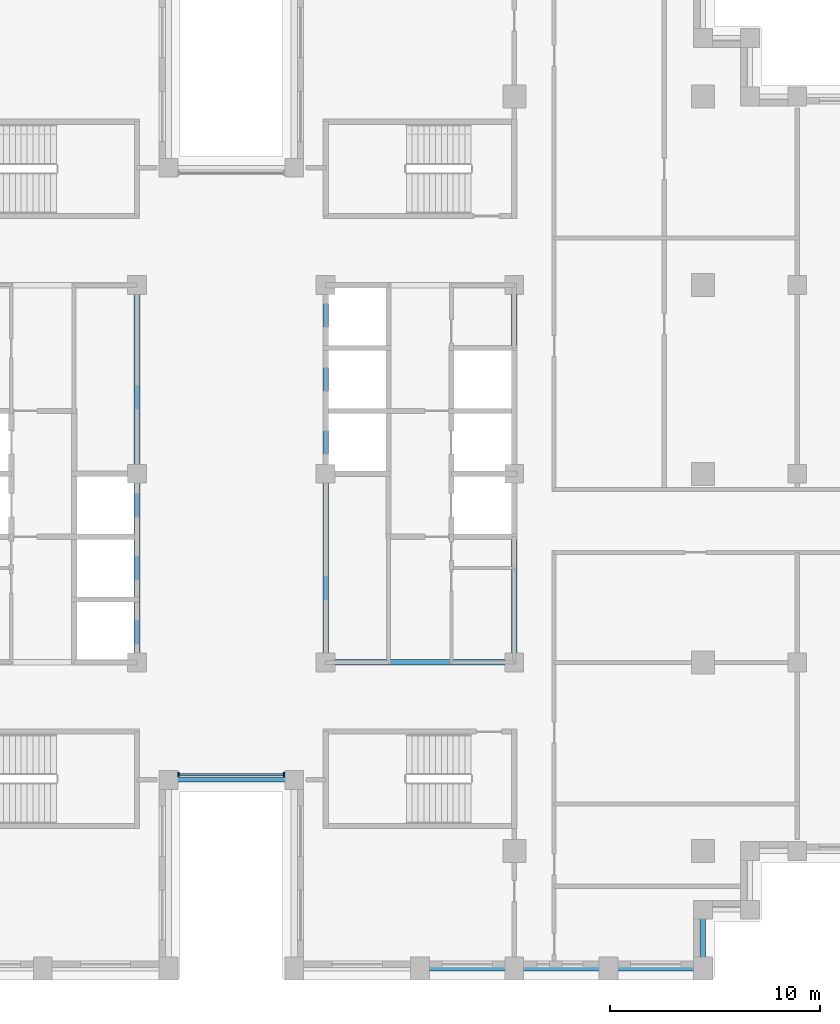
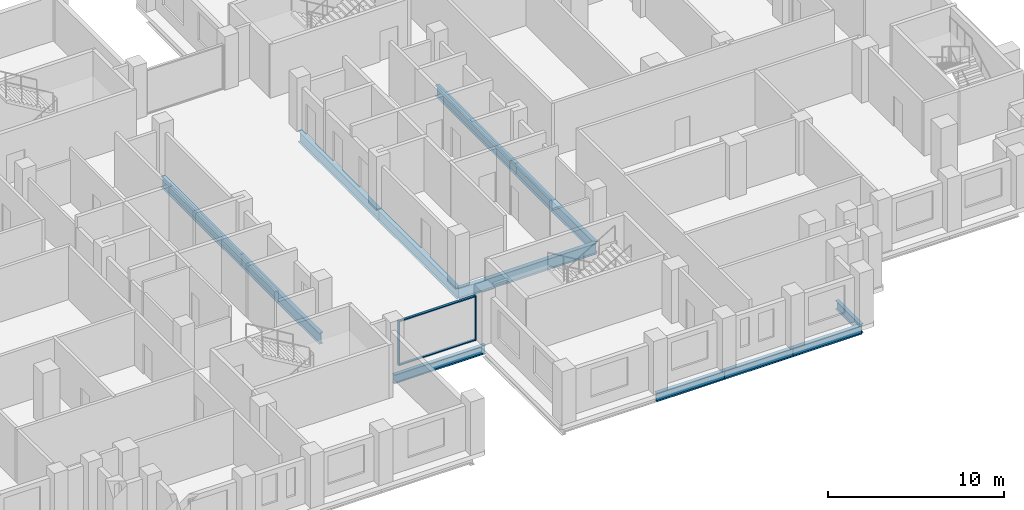
# One storey, part 2 of 15: 12 beams, 4 members, 1 element without a shape of its own.
"""IFC4 building model written with IfcOpenShell, lengths in metres."""

import ifcopenshell
import ifcopenshell.guid

model = None  # the IFC model being written
_history = None  # IfcOwnerHistory: only IFC2X3 demands one
_inside = {}  # id of a spatial element -> (the spatial element, [elements in it])
_under = {}  # id of a project, library or spatial element -> (it, [spatial elements below it])
_declared = {}  # id of a project -> (the project, [libraries it declares])
_typed = {}  # id of a type object -> (the type object, [elements of that type])
_made_of = {}  # id of a material, layer set ... -> (it, [elements and type objects made of it])


def new_model(schema):
    """Start an empty IFC model of exactly this schema.

    Asked for "IFC4X3", IfcOpenShell would pick the latest addendum, in which some entities
    have other attributes; the version numbers below select the first issue.
    IFC2X3 requires an IfcOwnerHistory on every rooted entity: one is made here for all.
    """
    global model, _history
    if schema == "IFC4X3":
        model = ifcopenshell.file(schema_version=(4, 3, 0, 0))
    else:
        model = ifcopenshell.file(schema=schema)
    _inside.clear()
    _under.clear()
    _declared.clear()
    _typed.clear()
    _made_of.clear()
    _history = None
    if model.schema == "IFC2X3":
        org = make("IfcOrganization", Name="unknown")
        user = make(
            "IfcPersonAndOrganization",
            ThePerson=make("IfcPerson", FamilyName="unknown"),
            TheOrganization=org,
        )
        app = make(
            "IfcApplication",
            ApplicationDeveloper=org,
            Version="unknown",
            ApplicationFullName="unknown",
            ApplicationIdentifier="unknown",
        )
        _history = make(
            "IfcOwnerHistory",
            OwningUser=user,
            OwningApplication=app,
            ChangeAction="ADDED",
            CreationDate=0,
        )
    return model


def make(cls, **values):
    """One entity of the class cls with the attributes given. An attribute that is None is left unset."""
    return model.create_entity(
        cls, **{name: value for name, value in values.items() if value is not None}
    )


def rooted(cls, **values):
    """An entity with a GlobalId (a new one), such as an element, a storey or a relation."""
    return make(cls, GlobalId=ifcopenshell.guid.new(), OwnerHistory=_history, **values)


def si_unit(unit_type, name, prefix=None):
    """IfcSIUnit, for example si_unit("LENGTHUNIT", "METRE", prefix="MILLI")."""
    return make("IfcSIUnit", UnitType=unit_type, Prefix=prefix, Name=name)


def assignment(units):
    """IfcUnitAssignment: the units of a project."""
    return None if units is None else make("IfcUnitAssignment", Units=units)


def point(xyz):
    """IfcCartesianPoint."""
    return None if xyz is None else make("IfcCartesianPoint", Coordinates=xyz)


def direction(xyz):
    """IfcDirection."""
    return None if xyz is None else make("IfcDirection", DirectionRatios=xyz)


def frame(location, z_axis=None, x_axis=None):
    """IfcAxis2Placement3D, a coordinate frame: its origin and axes. An axis left out is left unset."""
    return make(
        "IfcAxis2Placement3D",
        Location=point(location),
        Axis=direction(z_axis),
        RefDirection=direction(x_axis),
    )


def frame_2d(location, x_axis=None):
    """IfcAxis2Placement2D, a coordinate frame in the plane: its origin and x axis."""
    return make(
        "IfcAxis2Placement2D", Location=point(location), RefDirection=direction(x_axis)
    )


def origin():
    """The frame at (0, 0, 0) with its axes left unset."""
    return frame((0.0, 0.0, 0.0))


def origin_2d():
    """The frame at (0, 0) in the plane with its x axis left unset."""
    return frame_2d((0.0, 0.0))


def place(relative_to, where):
    """IfcLocalPlacement: puts the frame where relative to a parent placement (None: the world)."""
    return make(
        "IfcLocalPlacement", PlacementRelTo=relative_to, RelativePlacement=where
    )


def context(
    kind, dimensions, precision=None, world=None, true_north=None, identifier=None
):
    """IfcGeometricRepresentationContext, for example the 3D "Model" context."""
    return make(
        "IfcGeometricRepresentationContext",
        ContextIdentifier=identifier,
        ContextType=kind,
        CoordinateSpaceDimension=dimensions,
        Precision=precision,
        WorldCoordinateSystem=world,
        TrueNorth=true_north,
    )


def subcontext(parent, identifier, kind, view, scale=None):
    """IfcGeometricRepresentationSubContext, for example "Body" below "Model"."""
    return make(
        "IfcGeometricRepresentationSubContext",
        ContextIdentifier=identifier,
        ContextType=kind,
        ParentContext=parent,
        TargetScale=scale,
        TargetView=view,
    )


def project(units=None, contexts=None):
    """IfcProject with its units and contexts."""
    return rooted(
        "IfcProject",
        Name="project",
        RepresentationContexts=contexts,
        UnitsInContext=assignment(units),
    )


def spatial(cls, under=None, at=None, **own):
    """A site, building, storey or space (cls), placed at a placement, below another one or the project."""
    s = rooted(cls, ObjectPlacement=at, **own)
    if under is not None:
        _under.setdefault(under.id(), (under, []))[1].append(s)
    return s


def profile(cls, at=None, kind="AREA", **sizes):
    """A parametric profile (cls). Its sizes go by their IFC names, for example OverallWidth=200.0."""
    return make(cls, ProfileType=kind, Position=at, **sizes)


def rectangle(**sizes):
    """IfcRectangleProfileDef."""
    return profile("IfcRectangleProfileDef", **sizes)


def i_section(**sizes):
    """IfcIShapeProfileDef."""
    return profile("IfcIShapeProfileDef", **sizes)


def extrude(swept, where, along, depth):
    """IfcExtrudedAreaSolid: the profile swept, set in the frame where, extruded along a direction by depth."""
    return make(
        "IfcExtrudedAreaSolid",
        SweptArea=swept,
        Position=where,
        ExtrudedDirection=direction(along),
        Depth=depth,
    )


def shape(context_of_items, identifier, shape_type, items):
    """IfcShapeRepresentation: the items that make up one representation, for example the "Body"."""
    return make(
        "IfcShapeRepresentation",
        ContextOfItems=context_of_items,
        RepresentationIdentifier=identifier,
        RepresentationType=shape_type,
        Items=items,
    )


def material(Name=None, Category=None):
    """IfcMaterial."""
    return make("IfcMaterial", Name=Name, Category=Category)


def layer(
    of_material, thickness, ventilated=None, Name=None, Category=None, Priority=None
):
    """IfcMaterialLayer: one layer of a wall or slab, of a material (None: an air gap)."""
    return make(
        "IfcMaterialLayer",
        Material=of_material,
        LayerThickness=thickness,
        IsVentilated=ventilated,
        Name=Name,
        Category=Category,
        Priority=Priority,
    )


def layer_set(layers, Name=None):
    """IfcMaterialLayerSet."""
    return make("IfcMaterialLayerSet", MaterialLayers=layers, LayerSetName=Name)


def material_profile(
    of_material, cross_section, Name=None, Category=None, Priority=None
):
    """IfcMaterialProfile: a cross section and its material."""
    return make(
        "IfcMaterialProfile",
        Name=Name,
        Material=of_material,
        Profile=cross_section,
        Priority=Priority,
        Category=Category,
    )


def profile_set(profiles, Name=None, composite=None):
    """IfcMaterialProfileSet."""
    return make(
        "IfcMaterialProfileSet",
        Name=Name,
        MaterialProfiles=profiles,
        CompositeProfile=composite,
    )


def made_of(thing, what):
    """Note that an element or type object is made of a material, layer set ...; save() writes the relation."""
    if what is not None:
        _made_of.setdefault(what.id(), (what, []))[1].append(thing)
    return thing


def type_object(cls, material=None, **own):
    """A type object (cls), such as IfcWallType, which elements share."""
    return made_of(rooted(cls, **own), material)


def element(
    cls,
    number,
    at=None,
    inside=None,
    cuts=None,
    type_object=None,
    material=None,
    context=None,
    identifier="Body",
    shape_type=None,
    held_by="IfcProductDefinitionShape",
    body=None,
    shapes=None,
    **own,
):
    """One element of the class cls, such as IfcWall. Its Tag is "e" and its number.

    at: its placement. inside: the storey or other place that contains it. cuts: it is an
    opening in that element (IfcRelVoidsElement). A single representation is given by context,
    identifier, shape_type and body (its items); several are given by shapes. held_by: the class
    of the entity that holds the representations. save() writes the other relations.
    """
    e = rooted(cls, Tag="e%d" % number, ObjectPlacement=at, **own)
    if body is not None:
        shapes = [shape(context, identifier, shape_type, body)]
    if shapes is not None:
        e.Representation = make(held_by, Representations=shapes)
    if inside is not None:
        _inside.setdefault(inside.id(), (inside, []))[1].append(e)
    if cuts is not None:
        rooted(
            "IfcRelVoidsElement", RelatingBuildingElement=cuts, RelatedOpeningElement=e
        )
    if type_object is not None:
        _typed.setdefault(type_object.id(), (type_object, []))[1].append(e)
    return made_of(e, material)


def aggregate(whole, parts):
    """IfcRelAggregates: a whole, such as a stair, and the parts it consists of."""
    return rooted("IfcRelAggregates", RelatingObject=whole, RelatedObjects=parts)


def save(model, path):
    """Write the relations noted so far, then the file.

    IfcRelAggregates (storeys below a building ...), IfcRelContainedInSpatialStructure (elements
    in a storey), IfcRelDefinesByType, IfcRelAssociatesMaterial and IfcRelDeclares: one each for
    every whole, place, type object, material and project.
    """
    for whole, parts in _under.values():
        aggregate(whole, parts)
    for where, things in _inside.values():
        rooted(
            "IfcRelContainedInSpatialStructure",
            RelatedElements=things,
            RelatingStructure=where,
        )
    for kind, things in _typed.values():
        rooted("IfcRelDefinesByType", RelatedObjects=things, RelatingType=kind)
    for what, things in _made_of.values():
        rooted("IfcRelAssociatesMaterial", RelatedObjects=things, RelatingMaterial=what)
    for by, libraries in _declared.values():
        rooted("IfcRelDeclares", RelatingContext=by, RelatedDefinitions=libraries)
    model.write(path)


model = new_model("IFC4")

# Units and contexts
model_context = context("Model", 3, precision=1e-05, world=origin(), true_north=direction((0.0, 1.0)))
body_context = subcontext(model_context, "Body", "Model", "MODEL_VIEW")
ifc_project = project(units=[si_unit("LENGTHUNIT", "METRE"), si_unit("AREAUNIT", "SQUARE_METRE"), si_unit("VOLUMEUNIT", "CUBIC_METRE"), si_unit("PLANEANGLEUNIT", "RADIAN"), si_unit("MASSUNIT", "GRAM", prefix="KILO")], contexts=[model_context])

# Site, building, storey
site_placement = place(None, origin())
site = spatial("IfcSite", under=ifc_project, at=site_placement, CompositionType="ELEMENT")
building_placement = place(site_placement, origin())
building = spatial("IfcBuilding", under=site, at=building_placement, Name="Corbelhall Arena Tower", CompositionType="ELEMENT")
storey_placement = place(building_placement, frame((0.0, 0.0, 162.0)))
storey = spatial("IfcBuildingStorey", under=building, at=storey_placement, Name="L32", CompositionType="ELEMENT", Elevation=162.0)

# Curtain wall, members
ifc_material_1 = material(Name="Aluminium black anodised", Category="aluminium")
ifc_layer = layer(ifc_material_1, 0.199951171875)
ifc_layer_set = layer_set([ifc_layer], Name="EV-CW1 Slot back wall")
curtain_wall_type = type_object("IfcCurtainWallType", Name="EV-CW1 Slot back wall", PredefinedType="NOTDEFINED", material=ifc_layer_set)
curtain_wall_placement = place(storey_placement, origin())
curtain_wall = element("IfcCurtainWall", 1, at=curtain_wall_placement, inside=storey, type_object=curtain_wall_type, Name="Curtain wall CW1", PredefinedType="NOTDEFINED")
ifc_material_profile_1 = material_profile(ifc_material_1, rectangle(XDim=0.199951171875, YDim=0.074951171875, at=origin_2d()))
ifc_profile_set_1 = profile_set([ifc_material_profile_1], Name="Aluminium black anodised")
member_type_1 = type_object("IfcMemberType", Name="EV-CW1-MULLION", PredefinedType="MULLION", material=ifc_profile_set_1)
member_1_placement = place(storey_placement, frame((-2.512451171875, -14.35009765625, 0.0), z_axis=(0.0, 0.0, 1.0), x_axis=(0.0, 1.0, 0.0)))
member_1 = element("IfcMember", 2, at=member_1_placement, type_object=member_type_1, Name="CW1 mullion 1", PredefinedType="MULLION", context=body_context, shape_type="SweptSolid", body=[
    extrude(rectangle(XDim=0.199951171875, YDim=0.074951171875, at=origin_2d()), origin(), (0.0, 0.0, 1.0), 3.10009765625),
])
member_2_placement = place(storey_placement, frame((2.512451171875, -14.35009765625, 0.0), z_axis=(0.0, 0.0, 1.0), x_axis=(0.0, 1.0, 0.0)))
member_2 = element("IfcMember", 3, at=member_2_placement, type_object=member_type_1, Name="CW1 mullion 2", PredefinedType="MULLION", context=body_context, shape_type="SweptSolid", body=[
    extrude(rectangle(XDim=0.199951171875, YDim=0.074951171875, at=origin_2d()), origin(), (0.0, 0.0, 1.0), 3.10009765625),
])
ifc_material_profile_2 = material_profile(ifc_material_1, rectangle(XDim=0.14990234375, YDim=0.074951171875, at=origin_2d()))
ifc_profile_set_2 = profile_set([ifc_material_profile_2], Name="Aluminium black anodised")
member_type_2 = type_object("IfcMemberType", Name="EV-CW1-TRANSOM", PredefinedType="USERDEFINED", material=ifc_profile_set_2)
member_3_placement = place(storey_placement, frame((-2.47509765625, -14.35009765625, 0.03759765625), z_axis=(1.0, 0.0, 0.0), x_axis=(0.0, 1.0, 0.0)))
member_3 = element("IfcMember", 4, at=member_3_placement, type_object=member_type_2, Name="CW1 transom 1.1", ObjectType="transom", PredefinedType="USERDEFINED", context=body_context, shape_type="SweptSolid", body=[
    extrude(rectangle(XDim=0.14990234375, YDim=0.074951171875, at=origin_2d()), origin(), (0.0, 0.0, 1.0), 4.9501953125),
])
member_4_placement = place(storey_placement, frame((-2.47509765625, -14.35009765625, 3.0625), z_axis=(1.0, 0.0, 0.0), x_axis=(0.0, 1.0, 0.0)))
member_4 = element("IfcMember", 5, at=member_4_placement, type_object=member_type_2, Name="CW1 transom 1.2", ObjectType="transom", PredefinedType="USERDEFINED", context=body_context, shape_type="SweptSolid", body=[
    extrude(rectangle(XDim=0.14990234375, YDim=0.074951171875, at=origin_2d()), origin(), (0.0, 0.0, 1.0), 4.9501953125),
])
aggregate(curtain_wall, [member_1, member_2, member_3, member_4])

# Beams
ifc_material_2 = material(Name="Steel ASTM A992 Gr50", Category="steel")
ifc_material_profile_3 = material_profile(ifc_material_2, i_section(OverallWidth=0.2666015625, OverallDepth=0.761962890625, WebThickness=0.014404296875, FlangeThickness=0.021484375, at=origin_2d()))
ifc_profile_set_3 = profile_set([ifc_material_profile_3], Name="Steel ASTM A992 Gr50")
beam_type_1 = type_object("IfcBeamType", Name="ST-BEAM-W30x116", PredefinedType="BEAM", material=ifc_profile_set_3)
for number, where, z_axis, x_axis, name in (
    (6, (-4.5, -9.0, -0.680908203125), (0.0, 1.0, 0.0), (-1.0, 0.0, 0.0), "Beam CEW 3"),
    (7, (-4.5, 0.0, -0.680908203125), (0.0, 1.0, 0.0), (-1.0, 0.0, 0.0), "Beam CEW 4"),
    (8, (4.5, -9.0, -0.680908203125), (0.0, 1.0, 0.0), (-1.0, 0.0, 0.0), "Beam CEE 7"),
    (9, (4.5, 0.0, -0.680908203125), (0.0, 1.0, 0.0), (-1.0, 0.0, 0.0), "Beam CEE 8"),
    (10, (13.5, -9.0, -0.680908203125), (0.0, 1.0, 0.0), (-1.0, 0.0, 0.0), "Beam CEE 9"),
    (11, (13.5, 0.0, -0.680908203125), (0.0, 1.0, 0.0), (-1.0, 0.0, 0.0), "Beam CEE 10"),
    (12, (4.5, -9.0, -0.680908203125), (1.0, 0.0, 0.0), (0.0, 1.0, 0.0), "Beam CEE 11"),
):
    element("IfcBeam", number, at=place(storey_placement, frame(where, z_axis=z_axis, x_axis=x_axis)), inside=storey, type_object=beam_type_1, Name=name, PredefinedType="BEAM", context=body_context, shape_type="SweptSolid", body=[
        extrude(i_section(OverallWidth=0.2666015625, OverallDepth=0.761962890625, WebThickness=0.014404296875, FlangeThickness=0.021484375, at=origin_2d()), origin(), (0.0, 0.0, 1.0), 9.0),
    ])
ifc_material_profile_4 = material_profile(ifc_material_2, i_section(OverallWidth=0.22900390625, OverallDepth=0.612060546875, WebThickness=0.011962890625, FlangeThickness=0.01953125, at=origin_2d()))
ifc_profile_set_4 = profile_set([ifc_material_profile_4], Name="Steel ASTM A992 Gr50")
beam_type_2 = type_object("IfcBeamType", Name="ST-SPANDREL-W24x84", PredefinedType="SPANDREL", material=ifc_profile_set_4)
for number, where, z_axis, x_axis, name in (
    (13, (13.5, -23.60009765625, -0.60595703125), (-1.0, 0.0, 0.0), (0.0, -1.0, 0.0), "Beam SP 29"),
    (14, (18.0, -23.60009765625, -0.60595703125), (-1.0, 0.0, 0.0), (0.0, -1.0, 0.0), "Beam SP 30"),
    (15, (22.5, -23.60009765625, -0.60595703125), (-1.0, 0.0, 0.0), (0.0, -1.0, 0.0), "Beam SP 31"),
):
    element("IfcBeam", number, at=place(storey_placement, frame(where, z_axis=z_axis, x_axis=x_axis)), inside=storey, type_object=beam_type_2, Name=name, PredefinedType="SPANDREL", context=body_context, shape_type="SweptSolid", body=[
        extrude(i_section(OverallWidth=0.22900390625, OverallDepth=0.612060546875, WebThickness=0.011962890625, FlangeThickness=0.01953125, at=origin_2d()), origin(), (0.0, 0.0, 1.0), 4.5),
    ])
beam_1_placement = place(storey_placement, frame((3.0, -14.60009765625, -0.60595703125), z_axis=(-1.0, 0.0, 0.0), x_axis=(0.0, -1.0, 0.0)))
element("IfcBeam", 16, at=beam_1_placement, inside=storey, type_object=beam_type_2, Name="Beam SP 41", PredefinedType="SPANDREL", context=body_context, shape_type="SweptSolid", body=[
    extrude(i_section(OverallWidth=0.22900390625, OverallDepth=0.612060546875, WebThickness=0.011962890625, FlangeThickness=0.01953125, at=origin_2d()), origin(), (0.0, 0.0, 1.0), 6.0),
])
beam_2_placement = place(storey_placement, frame((22.5, -20.800048828125, -0.60595703125), z_axis=(0.0, -1.0, 0.0), x_axis=(1.0, 0.0, 0.0)))
element("IfcBeam", 17, at=beam_2_placement, inside=storey, type_object=beam_type_2, Name="Beam SP 49", PredefinedType="SPANDREL", context=body_context, shape_type="SweptSolid", body=[
    extrude(i_section(OverallWidth=0.22900390625, OverallDepth=0.612060546875, WebThickness=0.011962890625, FlangeThickness=0.01953125, at=origin_2d()), origin(), (0.0, 0.0, 1.0), 2.800048828125),
])

save(model, "model.ifc")
